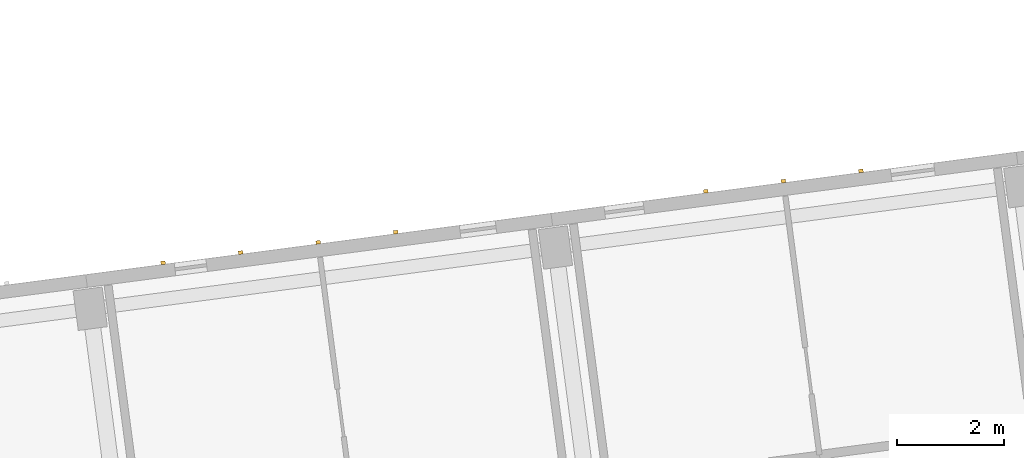
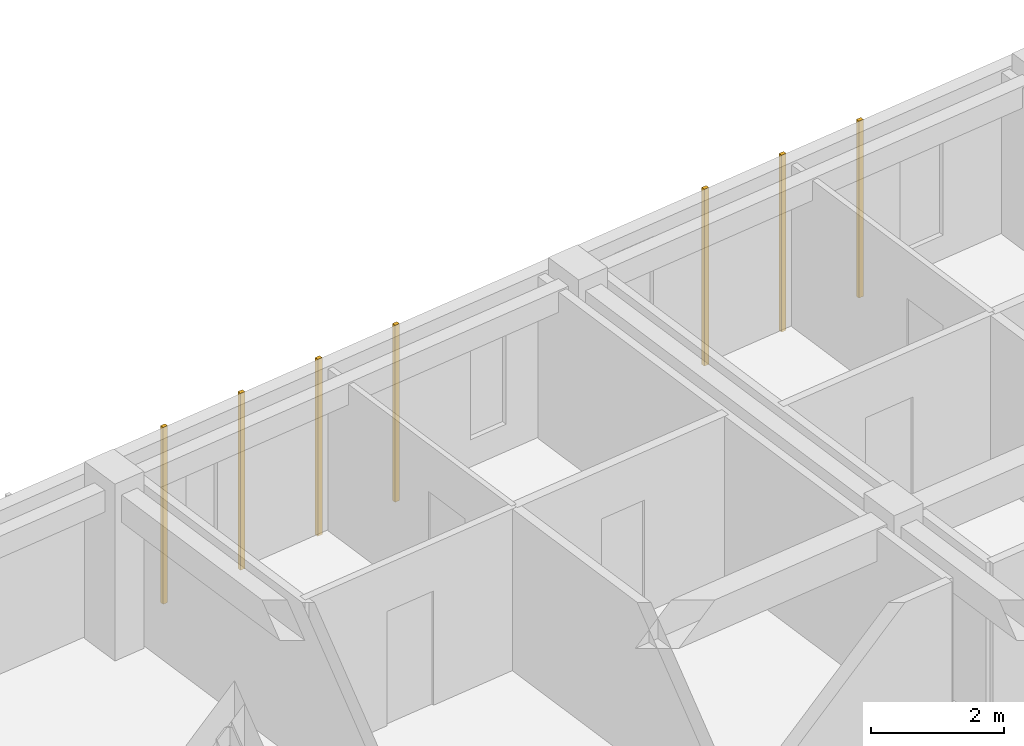
# One storey, part 45 of 64: 7 coverings.
"""IFC4 building model written with IfcOpenShell, lengths in metres."""

import ifcopenshell
import ifcopenshell.guid

model = None  # the IFC model being written
_history = None  # IfcOwnerHistory: only IFC2X3 demands one
_inside = {}  # id of a spatial element -> (the spatial element, [elements in it])
_under = {}  # id of a project, library or spatial element -> (it, [spatial elements below it])
_declared = {}  # id of a project -> (the project, [libraries it declares])
_typed = {}  # id of a type object -> (the type object, [elements of that type])
_made_of = {}  # id of a material, layer set ... -> (it, [elements and type objects made of it])


def new_model(schema):
    """Start an empty IFC model of exactly this schema.

    Asked for "IFC4X3", IfcOpenShell would pick the latest addendum, in which some entities
    have other attributes; the version numbers below select the first issue.
    IFC2X3 requires an IfcOwnerHistory on every rooted entity: one is made here for all.
    """
    global model, _history
    if schema == "IFC4X3":
        model = ifcopenshell.file(schema_version=(4, 3, 0, 0))
    else:
        model = ifcopenshell.file(schema=schema)
    _inside.clear()
    _under.clear()
    _declared.clear()
    _typed.clear()
    _made_of.clear()
    _history = None
    if model.schema == "IFC2X3":
        org = make("IfcOrganization", Name="unknown")
        user = make(
            "IfcPersonAndOrganization",
            ThePerson=make("IfcPerson", FamilyName="unknown"),
            TheOrganization=org,
        )
        app = make(
            "IfcApplication",
            ApplicationDeveloper=org,
            Version="unknown",
            ApplicationFullName="unknown",
            ApplicationIdentifier="unknown",
        )
        _history = make(
            "IfcOwnerHistory",
            OwningUser=user,
            OwningApplication=app,
            ChangeAction="ADDED",
            CreationDate=0,
        )
    return model


def make(cls, **values):
    """One entity of the class cls with the attributes given. An attribute that is None is left unset."""
    return model.create_entity(
        cls, **{name: value for name, value in values.items() if value is not None}
    )


def rooted(cls, **values):
    """An entity with a GlobalId (a new one), such as an element, a storey or a relation."""
    return make(cls, GlobalId=ifcopenshell.guid.new(), OwnerHistory=_history, **values)


def si_unit(unit_type, name, prefix=None):
    """IfcSIUnit, for example si_unit("LENGTHUNIT", "METRE", prefix="MILLI")."""
    return make("IfcSIUnit", UnitType=unit_type, Prefix=prefix, Name=name)


def assignment(units):
    """IfcUnitAssignment: the units of a project."""
    return None if units is None else make("IfcUnitAssignment", Units=units)


def point(xyz):
    """IfcCartesianPoint."""
    return None if xyz is None else make("IfcCartesianPoint", Coordinates=xyz)


def direction(xyz):
    """IfcDirection."""
    return None if xyz is None else make("IfcDirection", DirectionRatios=xyz)


def frame(location, z_axis=None, x_axis=None):
    """IfcAxis2Placement3D, a coordinate frame: its origin and axes. An axis left out is left unset."""
    return make(
        "IfcAxis2Placement3D",
        Location=point(location),
        Axis=direction(z_axis),
        RefDirection=direction(x_axis),
    )


def frame_2d(location, x_axis=None):
    """IfcAxis2Placement2D, a coordinate frame in the plane: its origin and x axis."""
    return make(
        "IfcAxis2Placement2D", Location=point(location), RefDirection=direction(x_axis)
    )


def origin():
    """The frame at (0, 0, 0) with its axes left unset."""
    return frame((0.0, 0.0, 0.0))


def origin_2d():
    """The frame at (0, 0) in the plane with its x axis left unset."""
    return frame_2d((0.0, 0.0))


def place(relative_to, where):
    """IfcLocalPlacement: puts the frame where relative to a parent placement (None: the world)."""
    return make(
        "IfcLocalPlacement", PlacementRelTo=relative_to, RelativePlacement=where
    )


def context(
    kind, dimensions, precision=None, world=None, true_north=None, identifier=None
):
    """IfcGeometricRepresentationContext, for example the 3D "Model" context."""
    return make(
        "IfcGeometricRepresentationContext",
        ContextIdentifier=identifier,
        ContextType=kind,
        CoordinateSpaceDimension=dimensions,
        Precision=precision,
        WorldCoordinateSystem=world,
        TrueNorth=true_north,
    )


def subcontext(parent, identifier, kind, view, scale=None):
    """IfcGeometricRepresentationSubContext, for example "Body" below "Model"."""
    return make(
        "IfcGeometricRepresentationSubContext",
        ContextIdentifier=identifier,
        ContextType=kind,
        ParentContext=parent,
        TargetScale=scale,
        TargetView=view,
    )


def project(units=None, contexts=None):
    """IfcProject with its units and contexts."""
    return rooted(
        "IfcProject",
        Name="project",
        RepresentationContexts=contexts,
        UnitsInContext=assignment(units),
    )


def spatial(cls, under=None, at=None, **own):
    """A site, building, storey or space (cls), placed at a placement, below another one or the project."""
    s = rooted(cls, ObjectPlacement=at, **own)
    if under is not None:
        _under.setdefault(under.id(), (under, []))[1].append(s)
    return s


def profile(cls, at=None, kind="AREA", **sizes):
    """A parametric profile (cls). Its sizes go by their IFC names, for example OverallWidth=200.0."""
    return make(cls, ProfileType=kind, Position=at, **sizes)


def rectangle(**sizes):
    """IfcRectangleProfileDef."""
    return profile("IfcRectangleProfileDef", **sizes)


def extrude(swept, where, along, depth):
    """IfcExtrudedAreaSolid: the profile swept, set in the frame where, extruded along a direction by depth."""
    return make(
        "IfcExtrudedAreaSolid",
        SweptArea=swept,
        Position=where,
        ExtrudedDirection=direction(along),
        Depth=depth,
    )


def shape(context_of_items, identifier, shape_type, items):
    """IfcShapeRepresentation: the items that make up one representation, for example the "Body"."""
    return make(
        "IfcShapeRepresentation",
        ContextOfItems=context_of_items,
        RepresentationIdentifier=identifier,
        RepresentationType=shape_type,
        Items=items,
    )


def material(Name=None, Category=None):
    """IfcMaterial."""
    return make("IfcMaterial", Name=Name, Category=Category)


def layer(
    of_material, thickness, ventilated=None, Name=None, Category=None, Priority=None
):
    """IfcMaterialLayer: one layer of a wall or slab, of a material (None: an air gap)."""
    return make(
        "IfcMaterialLayer",
        Material=of_material,
        LayerThickness=thickness,
        IsVentilated=ventilated,
        Name=Name,
        Category=Category,
        Priority=Priority,
    )


def layer_set(layers, Name=None):
    """IfcMaterialLayerSet."""
    return make("IfcMaterialLayerSet", MaterialLayers=layers, LayerSetName=Name)


def made_of(thing, what):
    """Note that an element or type object is made of a material, layer set ...; save() writes the relation."""
    if what is not None:
        _made_of.setdefault(what.id(), (what, []))[1].append(thing)
    return thing


def type_object(cls, material=None, **own):
    """A type object (cls), such as IfcWallType, which elements share."""
    return made_of(rooted(cls, **own), material)


def element(
    cls,
    number,
    at=None,
    inside=None,
    cuts=None,
    type_object=None,
    material=None,
    context=None,
    identifier="Body",
    shape_type=None,
    held_by="IfcProductDefinitionShape",
    body=None,
    shapes=None,
    **own,
):
    """One element of the class cls, such as IfcWall. Its Tag is "e" and its number.

    at: its placement. inside: the storey or other place that contains it. cuts: it is an
    opening in that element (IfcRelVoidsElement). A single representation is given by context,
    identifier, shape_type and body (its items); several are given by shapes. held_by: the class
    of the entity that holds the representations. save() writes the other relations.
    """
    e = rooted(cls, Tag="e%d" % number, ObjectPlacement=at, **own)
    if body is not None:
        shapes = [shape(context, identifier, shape_type, body)]
    if shapes is not None:
        e.Representation = make(held_by, Representations=shapes)
    if inside is not None:
        _inside.setdefault(inside.id(), (inside, []))[1].append(e)
    if cuts is not None:
        rooted(
            "IfcRelVoidsElement", RelatingBuildingElement=cuts, RelatedOpeningElement=e
        )
    if type_object is not None:
        _typed.setdefault(type_object.id(), (type_object, []))[1].append(e)
    return made_of(e, material)


def aggregate(whole, parts):
    """IfcRelAggregates: a whole, such as a stair, and the parts it consists of."""
    return rooted("IfcRelAggregates", RelatingObject=whole, RelatedObjects=parts)


def save(model, path):
    """Write the relations noted so far, then the file.

    IfcRelAggregates (storeys below a building ...), IfcRelContainedInSpatialStructure (elements
    in a storey), IfcRelDefinesByType, IfcRelAssociatesMaterial and IfcRelDeclares: one each for
    every whole, place, type object, material and project.
    """
    for whole, parts in _under.values():
        aggregate(whole, parts)
    for where, things in _inside.values():
        rooted(
            "IfcRelContainedInSpatialStructure",
            RelatedElements=things,
            RelatingStructure=where,
        )
    for kind, things in _typed.values():
        rooted("IfcRelDefinesByType", RelatedObjects=things, RelatingType=kind)
    for what, things in _made_of.values():
        rooted("IfcRelAssociatesMaterial", RelatedObjects=things, RelatingMaterial=what)
    for by, libraries in _declared.values():
        rooted("IfcRelDeclares", RelatingContext=by, RelatedDefinitions=libraries)
    model.write(path)


model = new_model("IFC4")

# Units and contexts
model_context = context("Model", 3, precision=1e-05, world=origin(), true_north=direction((0.0, 1.0)))
body_context = subcontext(model_context, "Body", "Model", "MODEL_VIEW")
ifc_project = project(units=[si_unit("LENGTHUNIT", "METRE"), si_unit("AREAUNIT", "SQUARE_METRE"), si_unit("VOLUMEUNIT", "CUBIC_METRE"), si_unit("PLANEANGLEUNIT", "RADIAN"), si_unit("MASSUNIT", "GRAM", prefix="KILO")], contexts=[model_context])

# Site, building, storey
site_placement = place(None, origin())
site = spatial("IfcSite", under=ifc_project, at=site_placement, CompositionType="ELEMENT")
building_placement = place(site_placement, origin())
building = spatial("IfcBuilding", under=site, at=building_placement, Name="Kestramere Prow Commons", CompositionType="ELEMENT")
storey_placement = place(building_placement, frame((0.0, 0.0, 24.64990234375)))
storey = spatial("IfcBuildingStorey", under=building, at=storey_placement, Name="L07", CompositionType="ELEMENT", Elevation=24.64990234375)

# Coverings
ifc_material = material(Name="Weathered Zinc-Titanium Standing-Seam Cladding")
ifc_layer = layer(ifc_material, 0.074951171875)
ifc_layer_set = layer_set([ifc_layer], Name="Weathered Zinc-Titanium Standing-Seam Cladding")
covering_type = type_object("IfcCoveringType", Name="COV-CLAD-SEAM", PredefinedType="CLADDING", material=ifc_layer_set)
for number, where, z_axis, x_axis, name in (
    (1, (36.12939453125, 96.137939453125, -0.25), (0.0, 0.0, 1.0), (0.991444861374, 0.13052619222, 0.0), "EW-A-L07-N-3 Standing-Seam Rib 1"),
    (2, (37.58349609375, 96.329345703125, -0.25), (0.0, 0.0, 1.0), (0.991444861374, 0.13052619222, 0.0), "EW-A-L07-N-3 Standing-Seam Rib 2"),
    (3, (39.03759765625, 96.520751953125, -0.25), (0.0, 0.0, 1.0), (0.991444861374, 0.13052619222, 0.0), "EW-A-L07-N-3 Standing-Seam Rib 3"),
    (4, (40.49169921875, 96.712158203125, -0.25), (0.0, 0.0, 1.0), (0.991444861374, 0.13052619222, 0.0), "EW-A-L07-N-3 Standing-Seam Rib 4"),
    (5, (46.30810546875, 97.47802734375, -0.25), (0.0, 0.0, 1.0), (0.991444861374, 0.13052619222, 0.0), "EW-A-L07-N-4 Standing-Seam Rib 2"),
    (6, (47.76220703125, 97.66943359375, -0.25), (0.0, 0.0, 1.0), (0.991444861374, 0.13052619222, 0.0), "EW-A-L07-N-4 Standing-Seam Rib 3"),
    (7, (49.21630859375, 97.86083984375, -0.25), (0.0, 0.0, 1.0), (0.991444861374, 0.13052619222, 0.0), "EW-A-L07-N-4 Standing-Seam Rib 4"),
):
    element("IfcCovering", number, at=place(storey_placement, frame(where, z_axis=z_axis, x_axis=x_axis)), inside=storey, type_object=covering_type, Name=name, PredefinedType="CLADDING", context=body_context, shape_type="SweptSolid", body=[
        extrude(rectangle(XDim=0.0849609375, YDim=0.06494140625, at=origin_2d()), origin(), (0.0, 0.0, 1.0), 3.25),
    ])

save(model, "model.ifc")
